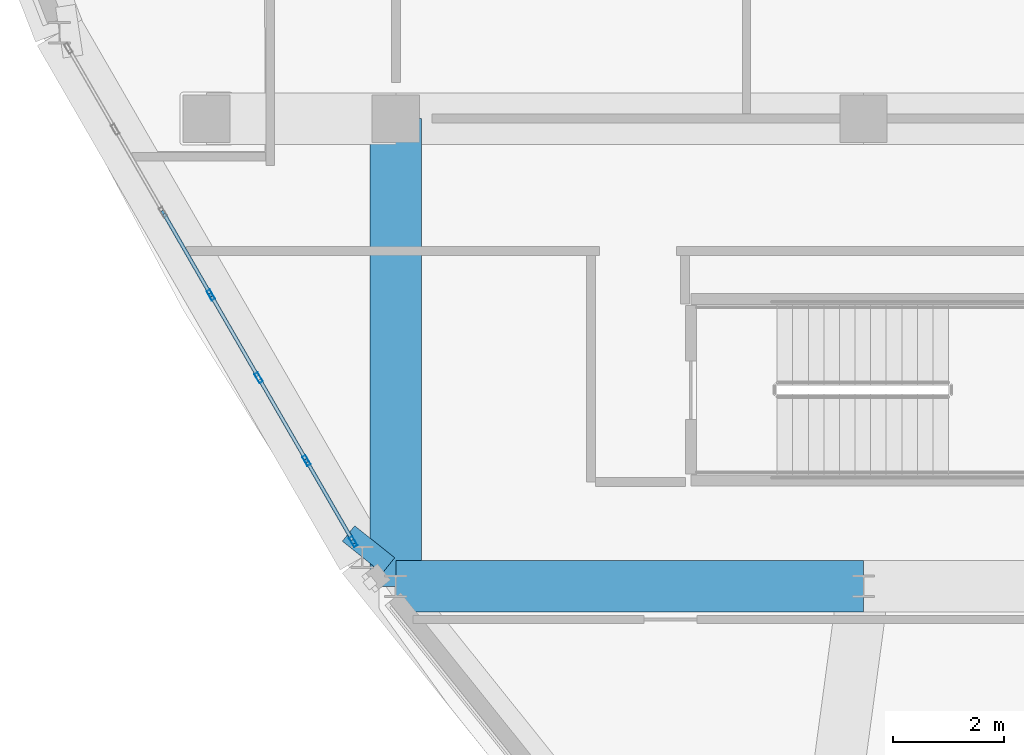
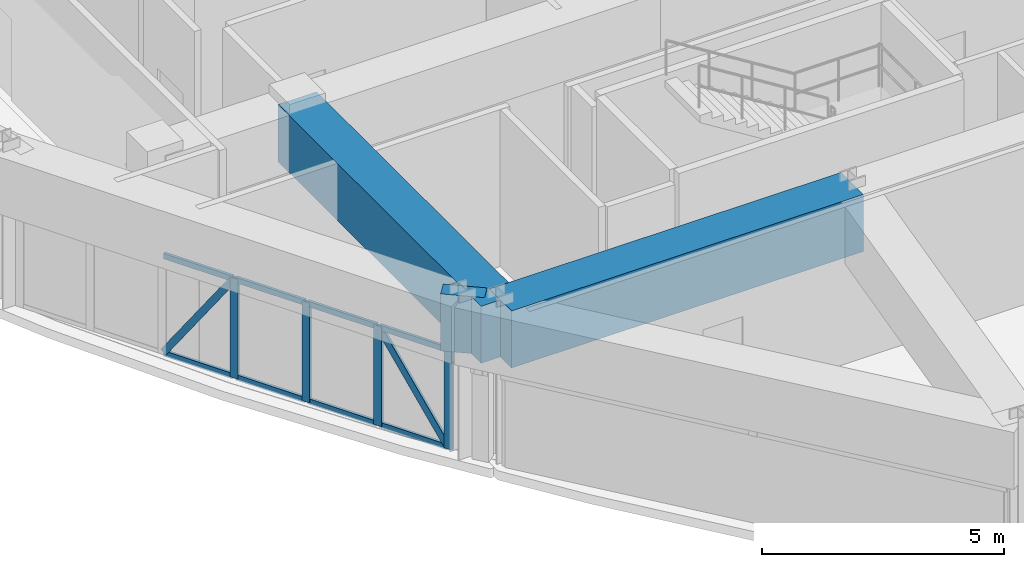
# One storey, part 2 of 16: 14 members, 3 beams, 1 element without a shape of its own.
"""IFC4 building model written with IfcOpenShell, lengths in metres."""

from ifc_helpers import new_model, si_unit, derived_unit, direction, frame, origin, origin_2d, place, context, subcontext, project, spatial, rectangle, hollow_rectangle, extrude, source, transform, mapped, material, layer, layer_set, material_profile, profile_set, type_object, element, aggregate, save


model = new_model("IFC4")

# Units and contexts
model_context = context("Model", 3, precision=1e-05, world=origin(), true_north=direction((0.0, 1.0)))
body_context = subcontext(model_context, "Body", "Model", "MODEL_VIEW")
ifc_project = project(units=[si_unit("LENGTHUNIT", "METRE"), si_unit("AREAUNIT", "SQUARE_METRE"), si_unit("VOLUMEUNIT", "CUBIC_METRE"), si_unit("PLANEANGLEUNIT", "RADIAN"), si_unit("MASSUNIT", "GRAM", prefix="KILO"), derived_unit("THERMALTRANSMITTANCEUNIT", [(si_unit("POWERUNIT", "WATT"), 1), (si_unit("LENGTHUNIT", "METRE"), -2), (si_unit("THERMODYNAMICTEMPERATUREUNIT", "KELVIN"), -1)])], contexts=[model_context])

# Site, building, storey
site_placement = place(None, origin())
site = spatial("IfcSite", under=ifc_project, at=site_placement, CompositionType="ELEMENT")
building_placement = place(site_placement, origin())
building = spatial("IfcBuilding", under=site, at=building_placement, Name="Korsvarv Bourse and Concert Hall", CompositionType="ELEMENT")
storey_placement = place(building_placement, frame((0.0, 0.0, 283.800048828125)))
storey = spatial("IfcBuildingStorey", under=building, at=storey_placement, Name="L74", CompositionType="ELEMENT", Elevation=283.800048828125)

# Beams
ifc_material_1 = material(Name="Concrete C50/60", Category="concrete")
ifc_material_profile_1 = material_profile(ifc_material_1, rectangle(XDim=0.919921875, YDim=1.43994140625, at=origin_2d()), Name="RC-BM 920x1440")
ifc_profile_set_1 = profile_set([ifc_material_profile_1], Name="Concrete C50/60")
beam_type = type_object("IfcBeamType", Name="BM-TR-144", PredefinedType="BEAM", material=ifc_profile_set_1)
shared_shape_1 = source(origin(), body_context, "Body", "SweptSolid", [
    extrude(rectangle(XDim=0.919921875, YDim=1.43994140625, at=origin_2d()), origin(), (0.0, 0.0, 1.0), 8.39990234375),
])
for number, where, z_axis, x_axis, name in (
    (1, (27.60009765625, 24.0, 3.239990234375), (1.0, 0.0, 0.0), (0.0, 1.0, 0.0), "L74 beam B-TR4"),
    (2, (27.60009765625, 24.0, 3.239990234375), (0.0, 1.0, 0.0), (-1.0, 0.0, 0.0), "L74 beam B-TR4"),
):
    element("IfcBeam", number, at=place(storey_placement, frame(where, z_axis=z_axis, x_axis=x_axis)), inside=storey, type_object=beam_type, Name=name, PredefinedType="BEAM", context=body_context, shape_type="MappedRepresentation", body=[
        mapped(shared_shape_1, transform((0.0, 0.0, 0.0), scale=1.0)),
    ])
shared_shape_2 = source(origin(), body_context, "Body", "SweptSolid", [
    extrude(rectangle(XDim=0.919921875, YDim=1.43994140625, at=origin_2d()), origin(), (0.0, 0.0, 1.0), 0.3564453125),
])
beam_placement = place(storey_placement, frame((26.99755859375, 24.52099609375, 3.239990234375), z_axis=(0.624695047554, 0.780868809443, 0.0), x_axis=(-0.780868809443, 0.624695047554, 0.0)))
element("IfcBeam", 3, at=beam_placement, inside=storey, type_object=beam_type, Name="L74 beam B-TR4", PredefinedType="BEAM", context=body_context, shape_type="MappedRepresentation", body=[
    mapped(shared_shape_2, transform((0.0, 0.0, 0.0), scale=1.0)),
])

# Curtain wall, members
ifc_material_2 = material(Name="Anodised aluminium and triple low-E glazing", Category="glass")
ifc_layer = layer(ifc_material_2, 0.18994140625)
ifc_layer_set = layer_set([ifc_layer], Name="Anodised aluminium and triple low-E glazing")
curtain_wall_type = type_object("IfcCurtainWallType", Name="CW-SYS-4", PredefinedType="NOTDEFINED", material=ifc_layer_set)
curtain_wall_placement = place(storey_placement, origin())
curtain_wall = element("IfcCurtainWall", 4, at=curtain_wall_placement, inside=storey, type_object=curtain_wall_type, Name="L74 CW4 curtain wall CW-L74-F07", PredefinedType="NOTDEFINED")
ifc_material_3 = material(Name="Extruded aluminium EN AW-6063 T66", Category="aluminium")
ifc_material_profile_2 = material_profile(ifc_material_3, hollow_rectangle(XDim=0.070068359375, YDim=0.18994140625, WallThickness=0.0048828125, at=origin_2d()), Name="ALU-M 70x190")
ifc_profile_set_2 = profile_set([ifc_material_profile_2], Name="Extruded aluminium EN AW-6063 T66")
member_type_1 = type_object("IfcMemberType", Name="CWM-190", PredefinedType="MULLION", material=ifc_profile_set_2)
shared_shape_3 = source(origin(), body_context, "Body", "SweptSolid", [
    extrude(hollow_rectangle(XDim=0.070068359375, YDim=0.18994140625, WallThickness=0.0048828125, at=origin_2d()), origin(), (0.0, 0.0, 1.0), 2.52001953125),
])
member_1_placement = place(storey_placement, frame((24.277587890625, 29.23193359375, 0.0), z_axis=(0.0, 0.0, 1.0), x_axis=(0.866027681029, 0.499996055676, 0.0)))
member_1 = element("IfcMember", 5, at=member_1_placement, type_object=member_type_1, Name="CW4 mullion 4", PredefinedType="MULLION", context=body_context, shape_type="MappedRepresentation", body=[
    mapped(shared_shape_3, transform((0.0, 0.0, 0.0), scale=1.0)),
])
member_2_placement = place(storey_placement, frame((25.13623046875, 27.744873046875, 0.0), z_axis=(0.0, 0.0, 1.0), x_axis=(0.866027681029, 0.499996055676, 0.0)))
member_2 = element("IfcMember", 6, at=member_2_placement, type_object=member_type_1, Name="CW4 mullion 5", PredefinedType="MULLION", context=body_context, shape_type="MappedRepresentation", body=[
    mapped(shared_shape_3, transform((0.0, 0.0, 0.0), scale=1.0)),
])
member_3_placement = place(storey_placement, frame((25.994873046875, 26.257568359375, 0.0), z_axis=(0.0, 0.0, 1.0), x_axis=(0.866027681029, 0.499996055676, 0.0)))
member_3 = element("IfcMember", 7, at=member_3_placement, type_object=member_type_1, Name="CW4 mullion 6", PredefinedType="MULLION", context=body_context, shape_type="MappedRepresentation", body=[
    mapped(shared_shape_3, transform((0.0, 0.0, 0.0), scale=1.0)),
])
member_4_placement = place(storey_placement, frame((26.8359375, 24.80078125, 0.0), z_axis=(0.0, 0.0, 1.0), x_axis=(0.866027681029, 0.499996055676, 0.0)))
member_4 = element("IfcMember", 8, at=member_4_placement, type_object=member_type_1, Name="CW4 mullion 7", PredefinedType="MULLION", context=body_context, shape_type="MappedRepresentation", body=[
    mapped(shared_shape_3, transform((0.0, 0.0, 0.0), scale=1.0)),
])
ifc_material_profile_3 = material_profile(ifc_material_3, hollow_rectangle(XDim=0.06494140625, YDim=0.139892578125, WallThickness=0.00390625, at=origin_2d()), Name="ALU-T 65x140")
ifc_profile_set_3 = profile_set([ifc_material_profile_3], Name="Extruded aluminium EN AW-6063 T66")
member_type_2 = type_object("IfcMemberType", Name="CWT-140", PredefinedType="USERDEFINED", material=ifc_profile_set_3)
shared_shape_4 = source(origin(), body_context, "Body", "SweptSolid", [
    extrude(hollow_rectangle(XDim=0.06494140625, YDim=0.139892578125, WallThickness=0.00390625, at=origin_2d()), origin(), (0.0, 0.0, 1.0), 1.647216796875),
])
member_5_placement = place(storey_placement, frame((23.4365234375, 30.68896484375, 0.032470703125), z_axis=(0.499949127178, -0.86605477323, 0.0), x_axis=(0.86605477323, 0.499949127178, 0.0)))
member_5 = element("IfcMember", 9, at=member_5_placement, type_object=member_type_2, Name="CW4 transom 3.1", ObjectType="TRANSOM", PredefinedType="USERDEFINED", context=body_context, shape_type="MappedRepresentation", body=[
    mapped(shared_shape_4, transform((0.0, 0.0, 0.0), scale=1.0)),
])
member_6_placement = place(storey_placement, frame((23.4365234375, 30.68896484375, 2.487548828125), z_axis=(0.499949127178, -0.86605477323, 0.0), x_axis=(0.86605477323, 0.499949127178, 0.0)))
member_6 = element("IfcMember", 10, at=member_6_placement, type_object=member_type_2, Name="CW4 transom 3.2", ObjectType="TRANSOM", PredefinedType="USERDEFINED", context=body_context, shape_type="MappedRepresentation", body=[
    mapped(shared_shape_4, transform((0.0, 0.0, 0.0), scale=1.0)),
])
member_7_placement = place(storey_placement, frame((24.295166015625, 29.20166015625, 0.032470703125), z_axis=(0.499949127178, -0.86605477323, 0.0), x_axis=(0.86605477323, 0.499949127178, 0.0)))
member_7 = element("IfcMember", 11, at=member_7_placement, type_object=member_type_2, Name="CW4 transom 4.1", ObjectType="TRANSOM", PredefinedType="USERDEFINED", context=body_context, shape_type="MappedRepresentation", body=[
    mapped(shared_shape_4, transform((0.0, 0.0, 0.0), scale=1.0)),
])
member_8_placement = place(storey_placement, frame((24.295166015625, 29.20166015625, 2.487548828125), z_axis=(0.499949127178, -0.86605477323, 0.0), x_axis=(0.86605477323, 0.499949127178, 0.0)))
member_8 = element("IfcMember", 12, at=member_8_placement, type_object=member_type_2, Name="CW4 transom 4.2", ObjectType="TRANSOM", PredefinedType="USERDEFINED", context=body_context, shape_type="MappedRepresentation", body=[
    mapped(shared_shape_4, transform((0.0, 0.0, 0.0), scale=1.0)),
])
member_9_placement = place(storey_placement, frame((25.153564453125, 27.714599609375, 0.032470703125), z_axis=(0.500060288043, -0.865990593668, 0.0), x_axis=(0.865990593668, 0.500060288043, 0.0)))
member_9 = element("IfcMember", 13, at=member_9_placement, type_object=member_type_2, Name="CW4 transom 5.1", ObjectType="TRANSOM", PredefinedType="USERDEFINED", context=body_context, shape_type="MappedRepresentation", body=[
    mapped(shared_shape_4, transform((0.0, 0.0, 0.0), scale=1.0)),
])
member_10_placement = place(storey_placement, frame((25.153564453125, 27.714599609375, 2.487548828125), z_axis=(0.500060288043, -0.865990593668, 0.0), x_axis=(0.865990593668, 0.500060288043, 0.0)))
member_10 = element("IfcMember", 14, at=member_10_placement, type_object=member_type_2, Name="CW4 transom 5.2", ObjectType="TRANSOM", PredefinedType="USERDEFINED", context=body_context, shape_type="MappedRepresentation", body=[
    mapped(shared_shape_4, transform((0.0, 0.0, 0.0), scale=1.0)),
])
ifc_material_profile_4 = material_profile(ifc_material_3, hollow_rectangle(XDim=0.06494140625, YDim=0.1650390625, WallThickness=0.0048828125, at=origin_2d()), Name="ALU-M 65x165")
ifc_profile_set_4 = profile_set([ifc_material_profile_4], Name="Extruded aluminium EN AW-6063 T66")
member_type_3 = type_object("IfcMemberType", Name="CWM-165", PredefinedType="MULLION", material=ifc_profile_set_4)
shared_shape_5 = source(origin(), body_context, "Body", "SweptSolid", [
    extrude(hollow_rectangle(XDim=0.06494140625, YDim=0.1650390625, WallThickness=0.0048828125, at=origin_2d()), origin(), (0.0, 0.0, 1.0), 2.902587890625),
])
member_11_placement = place(storey_placement, frame((23.4365234375, 30.68896484375, 0.06494140625), z_axis=(0.28371367263, -0.491473166076, 0.82338367666), x_axis=(0.86605477323, 0.499949127178, 0.0)))
member_11 = element("IfcMember", 15, at=member_11_placement, type_object=member_type_3, Name="CW4 diagonal mullion 3", PredefinedType="MULLION", context=body_context, shape_type="MappedRepresentation", body=[
    mapped(shared_shape_5, transform((0.0, 0.0, 0.0), scale=1.0)),
])
shared_shape_6 = source(origin(), body_context, "Body", "SweptSolid", [
    extrude(hollow_rectangle(XDim=0.06494140625, YDim=0.139892578125, WallThickness=0.00390625, at=origin_2d()), origin(), (0.0, 0.0, 1.0), 1.6123046875),
])
member_12_placement = place(storey_placement, frame((26.01220703125, 26.227294921875, 0.032470703125), z_axis=(0.500015196914, -0.866016629664, 0.0), x_axis=(0.866016629664, 0.500015196914, 0.0)))
member_12 = element("IfcMember", 16, at=member_12_placement, type_object=member_type_2, Name="CW4 transom 6.1", ObjectType="TRANSOM", PredefinedType="USERDEFINED", context=body_context, shape_type="MappedRepresentation", body=[
    mapped(shared_shape_6, transform((0.0, 0.0, 0.0), scale=1.0)),
])
member_13_placement = place(storey_placement, frame((26.01220703125, 26.227294921875, 2.487548828125), z_axis=(0.500015196914, -0.866016629664, 0.0), x_axis=(0.866016629664, 0.500015196914, 0.0)))
member_13 = element("IfcMember", 17, at=member_13_placement, type_object=member_type_2, Name="CW4 transom 6.2", ObjectType="TRANSOM", PredefinedType="USERDEFINED", context=body_context, shape_type="MappedRepresentation", body=[
    mapped(shared_shape_6, transform((0.0, 0.0, 0.0), scale=1.0)),
])
shared_shape_7 = source(origin(), body_context, "Body", "SweptSolid", [
    extrude(hollow_rectangle(XDim=0.06494140625, YDim=0.1650390625, WallThickness=0.0048828125, at=origin_2d()), origin(), (0.0, 0.0, 1.0), 2.8828125),
])
member_14_placement = place(storey_placement, frame((26.818359375, 24.8310546875, 0.06494140625), z_axis=(-0.279635083241, 0.484322544232, 0.82899692), x_axis=(-0.866016629664, -0.500015196914, 0.0)))
member_14 = element("IfcMember", 18, at=member_14_placement, type_object=member_type_3, Name="CW4 diagonal mullion 6", PredefinedType="MULLION", context=body_context, shape_type="MappedRepresentation", body=[
    mapped(shared_shape_7, transform((0.0, 0.0, 0.0), scale=1.0)),
])
aggregate(curtain_wall, [member_1, member_2, member_3, member_4, member_5, member_6, member_11, member_7, member_8, member_9, member_10, member_12, member_13, member_14])

save(model, "model.ifc")
